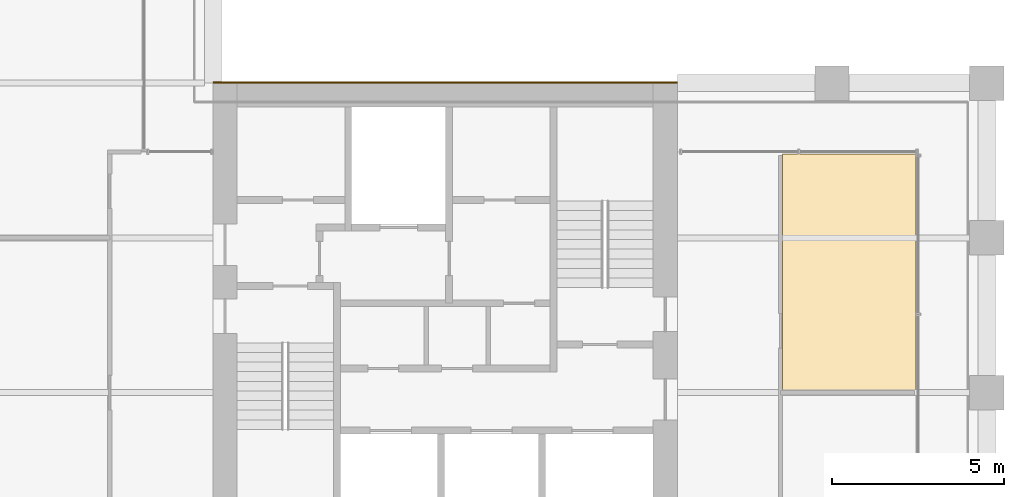
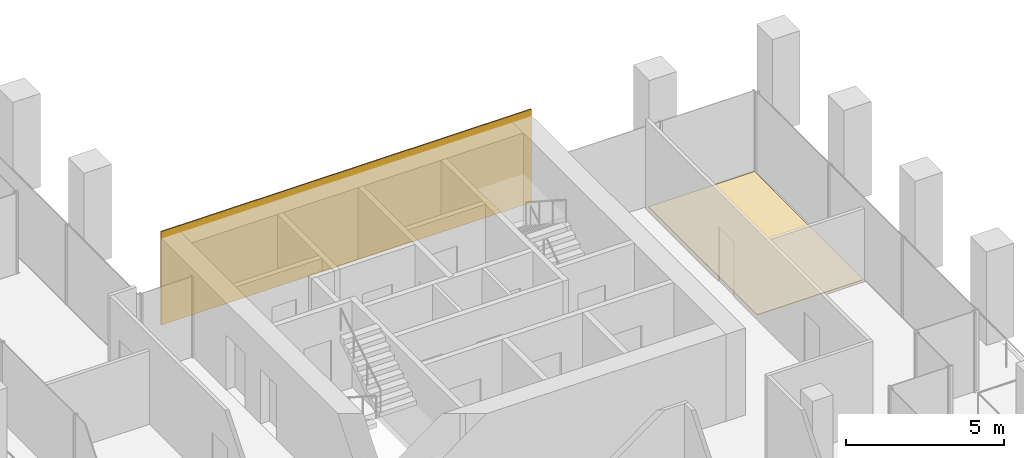
# One storey, part 46 of 46: 2 coverings.
"""IFC4 building model written with IfcOpenShell, lengths in metres."""

from ifc_helpers import new_model, si_unit, direction, frame, origin, origin_2d, place, context, subcontext, project, spatial, polyline, rectangle, outline, extrude, material, layer, layer_set, type_object, element, save


model = new_model("IFC4")

# Units and contexts
model_context = context("Model", 3, precision=1e-05, world=origin(), true_north=direction((0.0, 1.0)))
body_context = subcontext(model_context, "Body", "Model", "MODEL_VIEW")
ifc_project = project(units=[si_unit("LENGTHUNIT", "METRE"), si_unit("AREAUNIT", "SQUARE_METRE"), si_unit("VOLUMEUNIT", "CUBIC_METRE"), si_unit("PLANEANGLEUNIT", "RADIAN"), si_unit("MASSUNIT", "GRAM", prefix="KILO")], contexts=[model_context])

# Site, building, storey
site_placement = place(None, origin())
site = spatial("IfcSite", under=ifc_project, at=site_placement, CompositionType="ELEMENT")
building_placement = place(site_placement, origin())
building = spatial("IfcBuilding", under=site, at=building_placement, Name="Altepetl Exchange Towers", CompositionType="ELEMENT")
storey_placement = place(building_placement, frame((0.0, 0.0, 131.60009765625)))
storey = spatial("IfcBuildingStorey", under=building, at=storey_placement, Name="L32", CompositionType="ELEMENT", Elevation=131.60009765625)

# Coverings
ifc_material_1 = material(Name="Carpet tile")
ifc_layer_1 = layer(ifc_material_1, 0.02001953125)
ifc_layer_set_1 = layer_set([ifc_layer_1], Name="Carpet tile")
covering_type_1 = type_object("IfcCoveringType", Name="Carpet tile floor", PredefinedType="FLOORING", material=ifc_layer_set_1)
covering_1_placement = place(storey_placement, origin())
element("IfcCovering", 1, at=covering_1_placement, inside=storey, type_object=covering_type_1, Name="Meeting room floor finish B32.05", PredefinedType="FLOORING", context=body_context, shape_type="SweptSolid", body=[
    extrude(outline(polyline([(120.0625, 47.4375), (120.0625, 40.5625), (123.9375, 40.5625), (123.9375, 47.4375), (120.0625, 47.4375)])), origin(), (0.0, 0.0, 1.0), 0.02001953125),
])
ifc_material_2 = material(Name="Cantera limestone cladding", Category="masonry")
ifc_layer_2 = layer(ifc_material_2, 0.0400390625)
ifc_layer_set_2 = layer_set([ifc_layer_2], Name="Cantera limestone cladding")
covering_type_2 = type_object("IfcCoveringType", Name="Stone panel 40 cantera", PredefinedType="CLADDING", material=ifc_layer_set_2)
covering_2_placement = place(storey_placement, frame((110.25, 49.52001953125, -0.000244140625), z_axis=(0.0, 0.0, 1.0), x_axis=(-1.0, 0.0, 0.0)))
element("IfcCovering", 2, at=covering_2_placement, inside=storey, type_object=covering_type_2, Name="Stone cladding panel", PredefinedType="CLADDING", context=body_context, shape_type="SweptSolid", body=[
    extrude(rectangle(XDim=13.5, YDim=0.0400390625, at=origin_2d()), origin(), (0.0, 0.0, 1.0), 3.60009765625),
])

save(model, "model.ifc")
